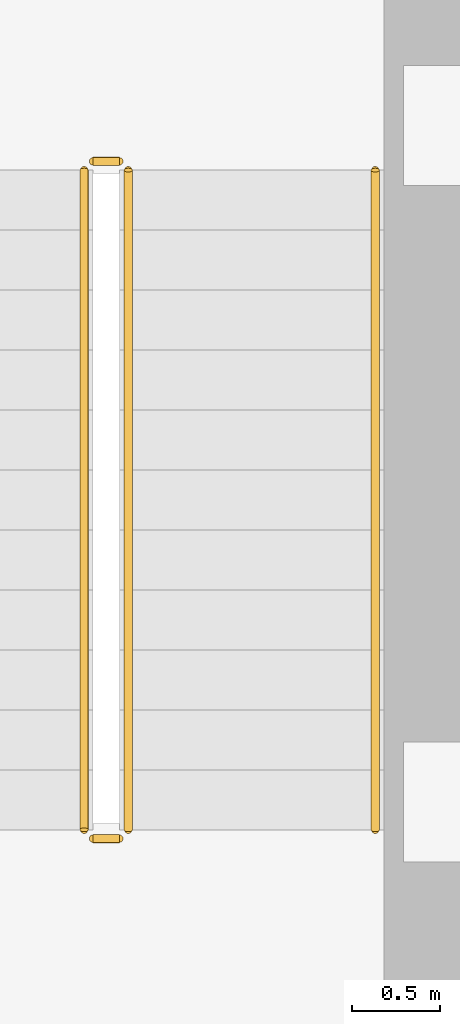
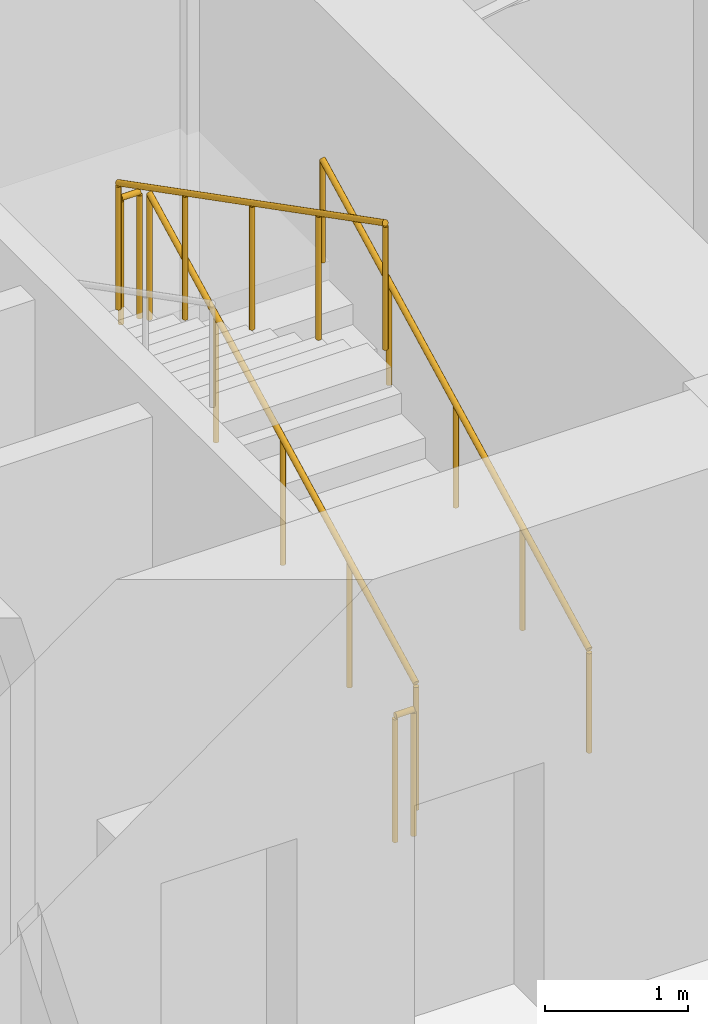
# One storey, part 17 of 19: 5 railings.
"""IFC4 building model written with IfcOpenShell, lengths in metres."""

from ifc_helpers import new_model, si_unit, direction, frame, origin, origin_2d, place, context, subcontext, project, spatial, circle, extrude, material, type_object, element, save


model = new_model("IFC4")

# Units and contexts
model_context = context("Model", 3, precision=1e-05, world=origin(), true_north=direction((0.0, 1.0)))
body_context = subcontext(model_context, "Body", "Model", "MODEL_VIEW")
ifc_project = project(units=[si_unit("LENGTHUNIT", "METRE"), si_unit("AREAUNIT", "SQUARE_METRE"), si_unit("VOLUMEUNIT", "CUBIC_METRE"), si_unit("PLANEANGLEUNIT", "RADIAN"), si_unit("MASSUNIT", "GRAM", prefix="KILO")], contexts=[model_context])

# Site, building, storey
site_placement = place(None, origin())
site = spatial("IfcSite", under=ifc_project, at=site_placement, CompositionType="ELEMENT")
building_placement = place(site_placement, origin())
building = spatial("IfcBuilding", under=site, at=building_placement, Name="Keldmark Tower", CompositionType="ELEMENT")
storey_placement = place(building_placement, frame((0.0, 0.0, 10.199951171875)))
storey = spatial("IfcBuildingStorey", under=building, at=storey_placement, Name="L02", CompositionType="ELEMENT", Elevation=10.199951171875)

# Railings
ifc_material_1 = material(Name="Painted Steel ASTM A500 Grade B", Category="steel")
railing_type_1 = type_object("IfcRailingType", Name="Painted Steel Stair Well Guard 1100 mm", PredefinedType="GUARDRAIL", material=ifc_material_1)
railing_1_placement = place(storey_placement, frame((11.699951171875, 3.35009765625, 0.175048828125)))
element("IfcRailing", 1, at=railing_1_placement, inside=storey, type_object=railing_type_1, Name="L02 ST2 stair guard 1", PredefinedType="GUARDRAIL", context=body_context, shape_type="SweptSolid", body=[
    extrude(circle(Radius=0.02392578125, at=origin_2d()), frame((0.0, 0.0, 1.076171875), z_axis=(0.0, 0.889130600629, 0.457653553493), x_axis=(-1.0, 0.0, 0.0)), (0.0, 0.0, 1.0), 4.206298828125),
    extrude(circle(Radius=0.02099609375, at=origin_2d()), origin(), (0.0, 0.0, 1.0), 1.052001953125),
    extrude(circle(Radius=0.02099609375, at=origin_2d()), frame((0.0, 0.93505859375, 0.481201171875)), (0.0, 0.0, 1.0), 1.052001953125),
    extrude(circle(Radius=0.02099609375, at=origin_2d()), frame((0.0, 1.8701171875, 0.96240234375)), (0.0, 0.0, 1.0), 1.052001953125),
    extrude(circle(Radius=0.02099609375, at=origin_2d()), frame((0.0, 2.804931640625, 1.44384765625)), (0.0, 0.0, 1.0), 1.052001953125),
    extrude(circle(Radius=0.02099609375, at=origin_2d()), frame((0.0, 3.739990234375, 1.925048828125)), (0.0, 0.0, 1.0), 1.052001953125),
])
railing_2_placement = place(storey_placement, frame((11.64990234375, 7.139892578125, 2.10009765625)))
element("IfcRailing", 2, at=railing_2_placement, inside=storey, type_object=railing_type_1, Name="L02 ST2 stair guard 2", PredefinedType="GUARDRAIL", context=body_context, shape_type="SweptSolid", body=[
    extrude(circle(Radius=0.02392578125, at=origin_2d()), frame((0.0, 0.0, 1.076171875), z_axis=(-1.0, 0.0, 0.0), x_axis=(0.0, -1.0, 0.0)), (0.0, 0.0, 1.0), 0.14990234375),
    extrude(circle(Radius=0.02099609375, at=origin_2d()), origin(), (0.0, 0.0, 1.0), 1.052001953125),
    extrude(circle(Radius=0.02099609375, at=origin_2d()), frame((-0.14990234375, 0.0, 0.0)), (0.0, 0.0, 1.0), 1.052001953125),
])
railing_3_placement = place(storey_placement, frame((11.449951171875, 7.090087890625, 2.275146484375)))
element("IfcRailing", 3, at=railing_3_placement, inside=storey, type_object=railing_type_1, Name="L02 ST2 stair guard 3", PredefinedType="GUARDRAIL", context=body_context, shape_type="SweptSolid", body=[
    extrude(circle(Radius=0.02392578125, at=origin_2d()), frame((0.0, 0.0, 1.076171875), z_axis=(0.0, -0.889154217769, 0.457607667138), x_axis=(1.0, 0.0, 0.0)), (0.0, 0.0, 1.0), 4.206298828125),
    extrude(circle(Radius=0.02099609375, at=origin_2d()), origin(), (0.0, 0.0, 1.0), 1.052001953125),
    extrude(circle(Radius=0.02099609375, at=origin_2d()), frame((0.0, -0.93505859375, 0.481201171875)), (0.0, 0.0, 1.0), 1.052001953125),
    extrude(circle(Radius=0.02099609375, at=origin_2d()), frame((0.0, -1.8701171875, 0.96240234375)), (0.0, 0.0, 1.0), 1.052001953125),
    extrude(circle(Radius=0.02099609375, at=origin_2d()), frame((0.0, -2.804931640625, 1.443603515625)), (0.0, 0.0, 1.0), 1.052001953125),
    extrude(circle(Radius=0.02099609375, at=origin_2d()), frame((0.0, -3.739990234375, 1.9248046875)), (0.0, 0.0, 1.0), 1.052001953125),
])
railing_4_placement = place(storey_placement, frame((11.64990234375, 3.300048828125, 0.0)))
element("IfcRailing", 4, at=railing_4_placement, inside=storey, type_object=railing_type_1, Name="L02 ST2 stair guard 4", PredefinedType="GUARDRAIL", context=body_context, shape_type="SweptSolid", body=[
    extrude(circle(Radius=0.02392578125, at=origin_2d()), frame((0.0, 0.0, 1.076171875), z_axis=(-1.0, 0.0, 0.0), x_axis=(0.0, -1.0, 0.0)), (0.0, 0.0, 1.0), 0.14990234375),
    extrude(circle(Radius=0.02099609375, at=origin_2d()), origin(), (0.0, 0.0, 1.0), 1.052001953125),
    extrude(circle(Radius=0.02099609375, at=origin_2d()), frame((-0.14990234375, 0.0, 0.0)), (0.0, 0.0, 1.0), 1.052001953125),
])
ifc_material_2 = material(Name="Stainless Steel AISI 316L", Category="steel")
railing_type_2 = type_object("IfcRailingType", Name="Stainless Steel Stair Handrail 900 mm", PredefinedType="HANDRAIL", material=ifc_material_2)
railing_5_placement = place(storey_placement, frame((13.10009765625, 3.35009765625, 0.175048828125)))
element("IfcRailing", 5, at=railing_5_placement, inside=storey, type_object=railing_type_2, Name="L02 ST2 stair handrail 1", PredefinedType="HANDRAIL", context=body_context, shape_type="SweptSolid", body=[
    extrude(circle(Radius=0.02392578125, at=origin_2d()), frame((0.0, 0.0, 0.8759765625), z_axis=(0.0, 0.889130600629, 0.457653553493), x_axis=(-1.0, 0.0, 0.0)), (0.0, 0.0, 1.0), 4.206298828125),
    extrude(circle(Radius=0.02099609375, at=origin_2d()), origin(), (0.0, 0.0, 1.0), 0.851806640625),
    extrude(circle(Radius=0.02099609375, at=origin_2d()), frame((0.0, 0.93505859375, 0.481201171875)), (0.0, 0.0, 1.0), 0.851806640625),
    extrude(circle(Radius=0.02099609375, at=origin_2d()), frame((0.0, 1.8701171875, 0.96240234375)), (0.0, 0.0, 1.0), 0.851806640625),
    extrude(circle(Radius=0.02099609375, at=origin_2d()), frame((0.0, 2.804931640625, 1.44384765625)), (0.0, 0.0, 1.0), 0.851806640625),
    extrude(circle(Radius=0.02099609375, at=origin_2d()), frame((0.0, 3.739990234375, 1.925048828125)), (0.0, 0.0, 1.0), 0.851806640625),
])

save(model, "model.ifc")
